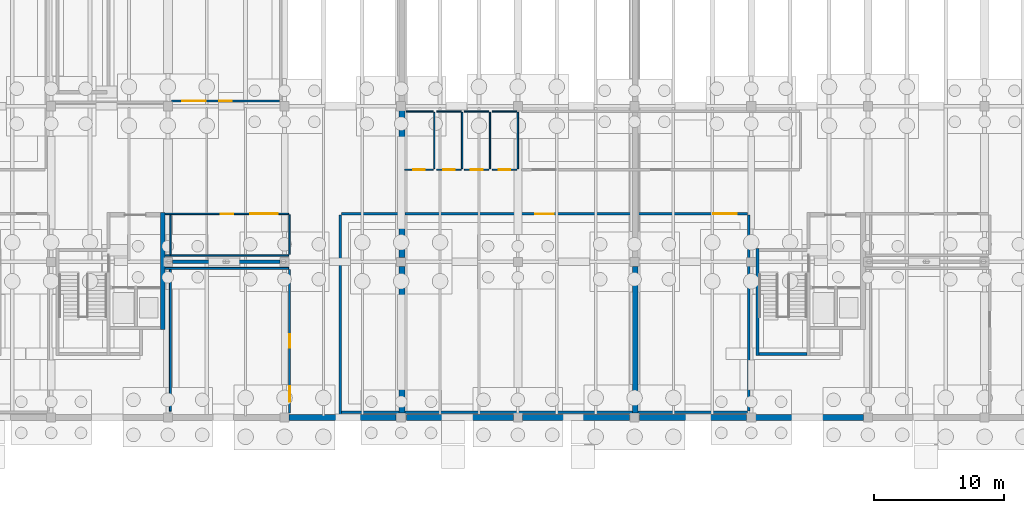
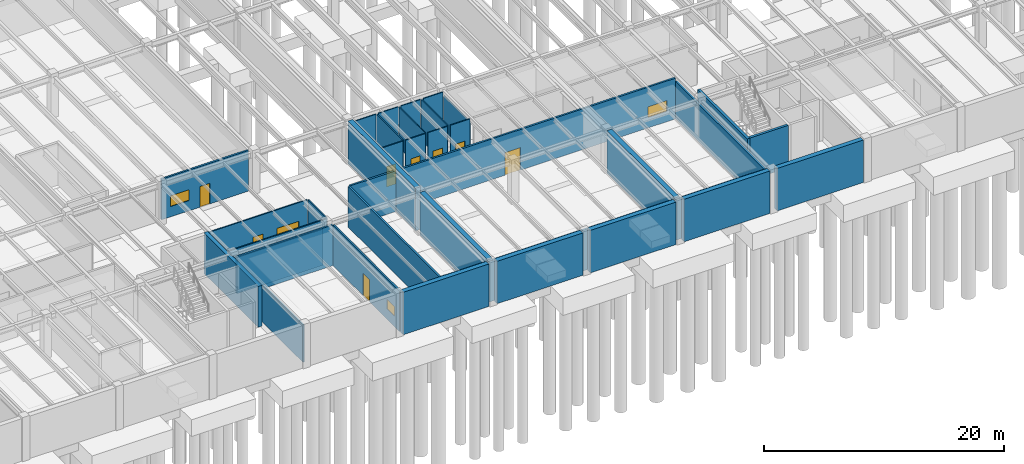
# One storey, part 28 of 40: 36 walls, 8 doors, 4 windows, 12 openings.
"""IFC4 building model written with IfcOpenShell, lengths in metres."""

import ifcopenshell
import ifcopenshell.guid

model = None  # the IFC model being written
_history = None  # IfcOwnerHistory: only IFC2X3 demands one
_inside = {}  # id of a spatial element -> (the spatial element, [elements in it])
_under = {}  # id of a project, library or spatial element -> (it, [spatial elements below it])
_declared = {}  # id of a project -> (the project, [libraries it declares])
_typed = {}  # id of a type object -> (the type object, [elements of that type])
_made_of = {}  # id of a material, layer set ... -> (it, [elements and type objects made of it])


def new_model(schema):
    """Start an empty IFC model of exactly this schema.

    Asked for "IFC4X3", IfcOpenShell would pick the latest addendum, in which some entities
    have other attributes; the version numbers below select the first issue.
    IFC2X3 requires an IfcOwnerHistory on every rooted entity: one is made here for all.
    """
    global model, _history
    if schema == "IFC4X3":
        model = ifcopenshell.file(schema_version=(4, 3, 0, 0))
    else:
        model = ifcopenshell.file(schema=schema)
    _inside.clear()
    _under.clear()
    _declared.clear()
    _typed.clear()
    _made_of.clear()
    _history = None
    if model.schema == "IFC2X3":
        org = make("IfcOrganization", Name="unknown")
        user = make(
            "IfcPersonAndOrganization",
            ThePerson=make("IfcPerson", FamilyName="unknown"),
            TheOrganization=org,
        )
        app = make(
            "IfcApplication",
            ApplicationDeveloper=org,
            Version="unknown",
            ApplicationFullName="unknown",
            ApplicationIdentifier="unknown",
        )
        _history = make(
            "IfcOwnerHistory",
            OwningUser=user,
            OwningApplication=app,
            ChangeAction="ADDED",
            CreationDate=0,
        )
    return model


def make(cls, **values):
    """One entity of the class cls with the attributes given. An attribute that is None is left unset."""
    return model.create_entity(
        cls, **{name: value for name, value in values.items() if value is not None}
    )


def rooted(cls, **values):
    """An entity with a GlobalId (a new one), such as an element, a storey or a relation."""
    return make(cls, GlobalId=ifcopenshell.guid.new(), OwnerHistory=_history, **values)


def si_unit(unit_type, name, prefix=None):
    """IfcSIUnit, for example si_unit("LENGTHUNIT", "METRE", prefix="MILLI")."""
    return make("IfcSIUnit", UnitType=unit_type, Prefix=prefix, Name=name)


def assignment(units):
    """IfcUnitAssignment: the units of a project."""
    return None if units is None else make("IfcUnitAssignment", Units=units)


def point(xyz):
    """IfcCartesianPoint."""
    return None if xyz is None else make("IfcCartesianPoint", Coordinates=xyz)


def direction(xyz):
    """IfcDirection."""
    return None if xyz is None else make("IfcDirection", DirectionRatios=xyz)


def frame(location, z_axis=None, x_axis=None):
    """IfcAxis2Placement3D, a coordinate frame: its origin and axes. An axis left out is left unset."""
    return make(
        "IfcAxis2Placement3D",
        Location=point(location),
        Axis=direction(z_axis),
        RefDirection=direction(x_axis),
    )


def frame_2d(location, x_axis=None):
    """IfcAxis2Placement2D, a coordinate frame in the plane: its origin and x axis."""
    return make(
        "IfcAxis2Placement2D", Location=point(location), RefDirection=direction(x_axis)
    )


def origin():
    """The frame at (0, 0, 0) with its axes left unset."""
    return frame((0.0, 0.0, 0.0))


def place(relative_to, where):
    """IfcLocalPlacement: puts the frame where relative to a parent placement (None: the world)."""
    return make(
        "IfcLocalPlacement", PlacementRelTo=relative_to, RelativePlacement=where
    )


def context(
    kind, dimensions, precision=None, world=None, true_north=None, identifier=None
):
    """IfcGeometricRepresentationContext, for example the 3D "Model" context."""
    return make(
        "IfcGeometricRepresentationContext",
        ContextIdentifier=identifier,
        ContextType=kind,
        CoordinateSpaceDimension=dimensions,
        Precision=precision,
        WorldCoordinateSystem=world,
        TrueNorth=true_north,
    )


def subcontext(parent, identifier, kind, view, scale=None):
    """IfcGeometricRepresentationSubContext, for example "Body" below "Model"."""
    return make(
        "IfcGeometricRepresentationSubContext",
        ContextIdentifier=identifier,
        ContextType=kind,
        ParentContext=parent,
        TargetScale=scale,
        TargetView=view,
    )


def project(units=None, contexts=None):
    """IfcProject with its units and contexts."""
    return rooted(
        "IfcProject",
        Name="project",
        RepresentationContexts=contexts,
        UnitsInContext=assignment(units),
    )


def spatial(cls, under=None, at=None, **own):
    """A site, building, storey or space (cls), placed at a placement, below another one or the project."""
    s = rooted(cls, ObjectPlacement=at, **own)
    if under is not None:
        _under.setdefault(under.id(), (under, []))[1].append(s)
    return s


def profile(cls, at=None, kind="AREA", **sizes):
    """A parametric profile (cls). Its sizes go by their IFC names, for example OverallWidth=200.0."""
    return make(cls, ProfileType=kind, Position=at, **sizes)


def rectangle(**sizes):
    """IfcRectangleProfileDef."""
    return profile("IfcRectangleProfileDef", **sizes)


def extrude(swept, where, along, depth):
    """IfcExtrudedAreaSolid: the profile swept, set in the frame where, extruded along a direction by depth."""
    return make(
        "IfcExtrudedAreaSolid",
        SweptArea=swept,
        Position=where,
        ExtrudedDirection=direction(along),
        Depth=depth,
    )


def shape(context_of_items, identifier, shape_type, items):
    """IfcShapeRepresentation: the items that make up one representation, for example the "Body"."""
    return make(
        "IfcShapeRepresentation",
        ContextOfItems=context_of_items,
        RepresentationIdentifier=identifier,
        RepresentationType=shape_type,
        Items=items,
    )


def material(Name=None, Category=None):
    """IfcMaterial."""
    return make("IfcMaterial", Name=Name, Category=Category)


def layer(
    of_material, thickness, ventilated=None, Name=None, Category=None, Priority=None
):
    """IfcMaterialLayer: one layer of a wall or slab, of a material (None: an air gap)."""
    return make(
        "IfcMaterialLayer",
        Material=of_material,
        LayerThickness=thickness,
        IsVentilated=ventilated,
        Name=Name,
        Category=Category,
        Priority=Priority,
    )


def layer_set(layers, Name=None):
    """IfcMaterialLayerSet."""
    return make("IfcMaterialLayerSet", MaterialLayers=layers, LayerSetName=Name)


def made_of(thing, what):
    """Note that an element or type object is made of a material, layer set ...; save() writes the relation."""
    if what is not None:
        _made_of.setdefault(what.id(), (what, []))[1].append(thing)
    return thing


def type_object(cls, material=None, **own):
    """A type object (cls), such as IfcWallType, which elements share."""
    return made_of(rooted(cls, **own), material)


def element(
    cls,
    number,
    at=None,
    inside=None,
    cuts=None,
    type_object=None,
    material=None,
    context=None,
    identifier="Body",
    shape_type=None,
    held_by="IfcProductDefinitionShape",
    body=None,
    shapes=None,
    **own,
):
    """One element of the class cls, such as IfcWall. Its Tag is "e" and its number.

    at: its placement. inside: the storey or other place that contains it. cuts: it is an
    opening in that element (IfcRelVoidsElement). A single representation is given by context,
    identifier, shape_type and body (its items); several are given by shapes. held_by: the class
    of the entity that holds the representations. save() writes the other relations.
    """
    e = rooted(cls, Tag="e%d" % number, ObjectPlacement=at, **own)
    if body is not None:
        shapes = [shape(context, identifier, shape_type, body)]
    if shapes is not None:
        e.Representation = make(held_by, Representations=shapes)
    if inside is not None:
        _inside.setdefault(inside.id(), (inside, []))[1].append(e)
    if cuts is not None:
        rooted(
            "IfcRelVoidsElement", RelatingBuildingElement=cuts, RelatedOpeningElement=e
        )
    if type_object is not None:
        _typed.setdefault(type_object.id(), (type_object, []))[1].append(e)
    return made_of(e, material)


def fill(opening, filler):
    """IfcRelFillsElement: the door or window that sits in an opening."""
    return rooted(
        "IfcRelFillsElement",
        RelatingOpeningElement=opening,
        RelatedBuildingElement=filler,
    )


def aggregate(whole, parts):
    """IfcRelAggregates: a whole, such as a stair, and the parts it consists of."""
    return rooted("IfcRelAggregates", RelatingObject=whole, RelatedObjects=parts)


def save(model, path):
    """Write the relations noted so far, then the file.

    IfcRelAggregates (storeys below a building ...), IfcRelContainedInSpatialStructure (elements
    in a storey), IfcRelDefinesByType, IfcRelAssociatesMaterial and IfcRelDeclares: one each for
    every whole, place, type object, material and project.
    """
    for whole, parts in _under.values():
        aggregate(whole, parts)
    for where, things in _inside.values():
        rooted(
            "IfcRelContainedInSpatialStructure",
            RelatedElements=things,
            RelatingStructure=where,
        )
    for kind, things in _typed.values():
        rooted("IfcRelDefinesByType", RelatedObjects=things, RelatingType=kind)
    for what, things in _made_of.values():
        rooted("IfcRelAssociatesMaterial", RelatedObjects=things, RelatingMaterial=what)
    for by, libraries in _declared.values():
        rooted("IfcRelDeclares", RelatingContext=by, RelatedDefinitions=libraries)
    model.write(path)


model = new_model("IFC4")

# Units and contexts
model_context = context("Model", 3, precision=1e-05, world=origin(), true_north=direction((0.0, 1.0)))
body_context = subcontext(model_context, "Body", "Model", "MODEL_VIEW")
ifc_project = project(units=[si_unit("LENGTHUNIT", "METRE"), si_unit("AREAUNIT", "SQUARE_METRE"), si_unit("VOLUMEUNIT", "CUBIC_METRE"), si_unit("PLANEANGLEUNIT", "RADIAN"), si_unit("MASSUNIT", "GRAM", prefix="KILO")], contexts=[model_context])

# Site, building, storey
site_placement = place(None, origin())
site = spatial("IfcSite", under=ifc_project, at=site_placement, CompositionType="ELEMENT")
building_placement = place(site_placement, origin())
building = spatial("IfcBuilding", under=site, at=building_placement, Name="Montelvaro Courts of Justice", CompositionType="ELEMENT")
storey_placement = place(building_placement, frame((0.0, 0.0, -4.5)))
storey = spatial("IfcBuildingStorey", under=building, at=storey_placement, Name="B01", CompositionType="ELEMENT", Elevation=-4.5)

# Walls
ifc_material_1 = material(Name="Gypsum board on metal stud")
ifc_layer_1 = layer(ifc_material_1, 0.14990234375)
ifc_layer_set_1 = layer_set([ifc_layer_1], Name="Gypsum board on metal stud")
wall_type_1 = type_object("IfcWallType", Name="ChambersPartition_150", PredefinedType="PARTITIONING", material=ifc_layer_set_1)
wall_1_placement = place(storey_placement, frame((63.199951171875, 0.47998046875, 0.0), z_axis=(0.0, 0.0, 1.0), x_axis=(0.0, 1.0, 0.0)))
element("IfcWall", 1, at=wall_1_placement, inside=storey, type_object=wall_type_1, Name="Interior Partition IW-04 (B01)", PredefinedType="PARTITIONING", context=body_context, shape_type="SweptSolid", body=[
    extrude(rectangle(XDim=10.93994140625, YDim=0.14990234375, at=frame_2d((5.469970703125, 0.0))), origin(), (0.0, 0.0, 1.0), 3.784912109375),
])
wall_2_placement = place(storey_placement, frame((62.794921875, 11.5, 0.0), z_axis=(0.0, 0.0, 1.0), x_axis=(1.0, 0.0, 0.0)))
element("IfcWall", 2, at=wall_2_placement, inside=storey, type_object=wall_type_1, Name="Interior Partition IW-04 (B01)", PredefinedType="PARTITIONING", context=body_context, shape_type="SweptSolid", body=[
    extrude(rectangle(XDim=9.525146484375, YDim=0.14990234375, at=frame_2d((4.7626953125, 0.0))), origin(), (0.0, 0.0, 1.0), 4.139892578125),
])

# Wall, openings, door, window
wall_3_placement = place(storey_placement, frame((72.39990234375, 11.419921875, 0.0), z_axis=(0.0, 0.0, 1.0), x_axis=(0.0, -1.0, 0.0)))
wall_3 = element("IfcWall", 3, at=wall_3_placement, inside=storey, type_object=wall_type_1, Name="Interior Partition IW-04 (B01)", PredefinedType="PARTITIONING", context=body_context, shape_type="SweptSolid", body=[
    extrude(rectangle(XDim=11.073974609375, YDim=0.14990234375, at=frame_2d((5.537109375, 0.0))), origin(), (0.0, 0.0, 1.0), 4.139892578125),
])
opening_1_placement = place(wall_3_placement, frame((5.011962890625, 0.0, 0.0)))
opening_1 = element("IfcOpeningElement", 4, at=opening_1_placement, cuts=wall_3, Name="Opening D-B01-013", PredefinedType="OPENING", context=body_context, shape_type="SweptSolid", body=[
    extrude(rectangle(XDim=1.050048828125, YDim=2.25, at=frame_2d((0.52490234375, 1.125))), frame((0.0, 0.08984375, 0.0), z_axis=(0.0, -1.0, 0.0), x_axis=(1.0, 0.0, 0.0)), (0.0, 0.0, 1.0), 0.1796875),
])
opening_2_placement = place(wall_3_placement, frame((9.02392578125, 0.0, 1.050048828125)))
opening_2 = element("IfcOpeningElement", 5, at=opening_2_placement, cuts=wall_3, Name="Opening WI-03", PredefinedType="OPENING", context=body_context, shape_type="SweptSolid", body=[
    extrude(rectangle(XDim=1.199951171875, YDim=1.0, at=frame_2d((0.60009765625, 0.5))), frame((0.0, 0.08984375, 0.0), z_axis=(0.0, -1.0, 0.0), x_axis=(1.0, 0.0, 0.0)), (0.0, 0.0, 1.0), 0.1796875),
])
ifc_material_2 = material(Name="Acoustic oak timber veneer", Category="wood")
door_type_1 = type_object("IfcDoorType", Name="ChamberDoor_105x225", OperationType="NOTDEFINED", PredefinedType="DOOR", material=ifc_material_2)
door_1_placement = place(opening_1_placement, frame((1.050048828125, 0.0, 0.0), z_axis=(0.0, 0.0, 1.0), x_axis=(-1.0, 0.0, 0.0)))
door_1 = element("IfcDoor", 6, at=door_1_placement, inside=storey, type_object=door_type_1, Name="Interior Door D-B01-013 (Evidentiary Records Storage)", OperationType="SINGLE_SWING_RIGHT", OverallHeight=2.25, OverallWidth=1.050048828125, PredefinedType="DOOR", context=body_context, shape_type="SweptSolid", body=[
    extrude(rectangle(XDim=1.050048828125, YDim=2.25, at=frame_2d((0.52490234375, 1.125))), frame((0.0, 0.02490234375, 0.0), z_axis=(0.0, -1.0, 0.0), x_axis=(1.0, 0.0, 0.0)), (0.0, 0.0, 1.0), 0.050048828125),
])
fill(opening_1, door_1)
ifc_material_3 = material(Name="Acoustic laminated double glazing", Category="glass")
window_type_1 = type_object("IfcWindowType", Name="IntVision_120x100", PartitioningType="SINGLE_PANEL", PredefinedType="WINDOW", material=ifc_material_3)
window_1_placement = place(opening_2_placement, origin())
window_1 = element("IfcWindow", 7, at=window_1_placement, inside=storey, type_object=window_type_1, Name="Interior Vision Panel WI-007", OverallHeight=1.0, OverallWidth=1.199951171875, PartitioningType="SINGLE_PANEL", PredefinedType="WINDOW", context=body_context, shape_type="SweptSolid", body=[
    extrude(rectangle(XDim=1.199951171875, YDim=1.0, at=frame_2d((0.60009765625, 0.5))), frame((0.0, 0.030029296875, 0.0), z_axis=(0.0, -1.0, 0.0), x_axis=(1.0, 0.0, 0.0)), (0.0, 0.0, 1.0), 0.06005859375),
])
fill(opening_2, window_1)

# Wall
ifc_material_4 = material(Name="Concrete C40/50", Category="concrete")
ifc_layer_2 = layer(ifc_material_4, 0.360107421875)
ifc_layer_set_2 = layer_set([ifc_layer_2], Name="Concrete C40/50")
wall_type_2 = type_object("IfcWallType", Name="CoreWall_360", PredefinedType="SHEAR", material=ifc_layer_set_2)
wall_4_placement = place(storey_placement, frame((62.6201171875, 6.760009765625, 0.0), z_axis=(0.0, 0.0, 1.0), x_axis=(0.0, 1.0, 0.0)))
element("IfcWall", 8, at=wall_4_placement, inside=storey, type_object=wall_type_2, Name="Core Shear Wall CW-01 K1-E (B01)", PredefinedType="SHEAR", context=body_context, shape_type="SweptSolid", body=[
    extrude(rectangle(XDim=9.0400390625, YDim=0.360107421875, at=frame_2d((4.52001953125, 0.0))), origin(), (0.0, 0.0, 1.0), 4.159912109375),
])

# Wall, openings, door, window
ifc_material_5 = material(Name="Fire-rated gypsum and steel stud", Category="steel")
ifc_layer_3 = layer(ifc_material_5, 0.179931640625)
ifc_layer_set_3 = layer_set([ifc_layer_3], Name="Fire-rated gypsum and steel stud")
wall_type_3 = type_object("IfcWallType", Name="CorridorFireWall_180", PredefinedType="PARTITIONING", material=ifc_layer_set_3)
wall_5_placement = place(storey_placement, frame((71.6201171875, 24.39990234375, 0.0), z_axis=(0.0, 0.0, 1.0), x_axis=(-1.0, 0.0, 0.0)))
wall_5 = element("IfcWall", 9, at=wall_5_placement, inside=storey, type_object=wall_type_3, Name="Interior Partition IW-02 (B01)", PredefinedType="PARTITIONING", context=body_context, shape_type="SweptSolid", body=[
    extrude(rectangle(XDim=8.340087890625, YDim=0.179931640625, at=frame_2d((4.169921875, 0.0))), origin(), (0.0, 0.0, 1.0), 4.139892578125),
])
opening_3_placement = place(wall_5_placement, frame((3.695068359375, 0.0, 0.0)))
opening_3 = element("IfcOpeningElement", 10, at=opening_3_placement, cuts=wall_5, Name="Opening D-B01-011", PredefinedType="OPENING", context=body_context, shape_type="SweptSolid", body=[
    extrude(rectangle(XDim=0.949951171875, YDim=2.10009765625, at=frame_2d((0.47509765625, 1.050048828125))), frame((0.0, 0.10498046875, 0.0), z_axis=(0.0, -1.0, 0.0), x_axis=(1.0, 0.0, 0.0)), (0.0, 0.0, 1.0), 0.209716796875),
])
opening_4_placement = place(wall_5_placement, frame((5.68994140625, 0.0, 1.050048828125)))
opening_4 = element("IfcOpeningElement", 11, at=opening_4_placement, cuts=wall_5, Name="Opening WI-01", PredefinedType="OPENING", context=body_context, shape_type="SweptSolid", body=[
    extrude(rectangle(XDim=1.800048828125, YDim=1.10009765625, at=frame_2d((0.89990234375, 0.550048828125))), frame((0.0, 0.10498046875, 0.0), z_axis=(0.0, -1.0, 0.0), x_axis=(1.0, 0.0, 0.0)), (0.0, 0.0, 1.0), 0.209716796875),
])
ifc_material_6 = material(Name="Galvanised steel S355 security door", Category="steel")
door_type_2 = type_object("IfcDoorType", Name="CustodyCellDoor_095x210", OperationType="NOTDEFINED", PredefinedType="DOOR", material=ifc_material_6)
door_2_placement = place(opening_3_placement, frame((0.949951171875, 0.0, 0.0), z_axis=(0.0, 0.0, 1.0), x_axis=(-1.0, 0.0, 0.0)))
door_2 = element("IfcDoor", 12, at=door_2_placement, inside=storey, type_object=door_type_2, Name="Interior Door D-B01-011 (Historical Case Dossier Vault)", OperationType="SINGLE_SWING_LEFT", OverallHeight=2.10009765625, OverallWidth=0.949951171875, PredefinedType="DOOR", context=body_context, shape_type="SweptSolid", body=[
    extrude(rectangle(XDim=0.949951171875, YDim=2.10009765625, at=frame_2d((0.47509765625, 1.050048828125))), frame((0.0, 0.02490234375, 0.0), z_axis=(0.0, -1.0, 0.0), x_axis=(1.0, 0.0, 0.0)), (0.0, 0.0, 1.0), 0.050048828125),
])
fill(opening_3, door_2)
window_type_2 = type_object("IfcWindowType", Name="IntVision_180x110", PartitioningType="SINGLE_PANEL", PredefinedType="WINDOW", material=ifc_material_3)
window_2_placement = place(opening_4_placement, origin())
window_2 = element("IfcWindow", 13, at=window_2_placement, inside=storey, type_object=window_type_2, Name="Interior Vision Panel WI-005", OverallHeight=1.10009765625, OverallWidth=1.800048828125, PartitioningType="SINGLE_PANEL", PredefinedType="WINDOW", context=body_context, shape_type="SweptSolid", body=[
    extrude(rectangle(XDim=1.800048828125, YDim=1.10009765625, at=frame_2d((0.89990234375, 0.550048828125))), frame((0.0, 0.030029296875, 0.0), z_axis=(0.0, -1.0, 0.0), x_axis=(1.0, 0.0, 0.0)), (0.0, 0.0, 1.0), 0.06005859375),
])
fill(opening_4, window_2)

# Walls
wall_6_placement = place(storey_placement, frame((107.800048828125, 15.6201171875, 0.0), z_axis=(0.0, 0.0, 1.0), x_axis=(0.0, -1.0, 0.0)))
element("IfcWall", 14, at=wall_6_placement, inside=storey, type_object=wall_type_3, Name="Interior Partition IW-02 (B01)", PredefinedType="PARTITIONING", context=body_context, shape_type="SweptSolid", body=[
    extrude(rectangle(XDim=15.14013671875, YDim=0.179931640625, at=frame_2d((7.570068359375, 0.0))), origin(), (0.0, 0.0, 1.0), 3.824951171875),
])
wall_7_placement = place(storey_placement, frame((107.719970703125, 0.39990234375, 0.0), z_axis=(0.0, 0.0, 1.0), x_axis=(-1.0, 0.0, 0.0)))
element("IfcWall", 15, at=wall_7_placement, inside=storey, type_object=wall_type_3, Name="Interior Partition IW-02 (B01)", PredefinedType="PARTITIONING", context=body_context, shape_type="SweptSolid", body=[
    extrude(rectangle(XDim=31.340087890625, YDim=0.179931640625, at=frame_2d((15.669921875, 0.0))), origin(), (0.0, 0.0, 1.0), 4.139892578125),
])
wall_8_placement = place(storey_placement, frame((76.300048828125, 0.219970703125, 0.0), z_axis=(0.0, 0.0, 1.0), x_axis=(0.0, 1.0, 0.0)))
element("IfcWall", 16, at=wall_8_placement, inside=storey, type_object=wall_type_3, Name="Interior Partition IW-02 (B01)", PredefinedType="PARTITIONING", context=body_context, shape_type="SweptSolid", body=[
    extrude(rectangle(XDim=15.400146484375, YDim=0.179931640625, at=frame_2d((7.7001953125, 0.0))), origin(), (0.0, 0.0, 1.0), 4.139892578125),
])

# Wall, openings, door, window
wall_9_placement = place(storey_placement, frame((76.3798828125, 15.699951171875, 0.0), z_axis=(0.0, 0.0, 1.0), x_axis=(1.0, 0.0, 0.0)))
wall_9 = element("IfcWall", 17, at=wall_9_placement, inside=storey, type_object=wall_type_3, Name="Interior Partition IW-02 (B01)", PredefinedType="PARTITIONING", context=body_context, shape_type="SweptSolid", body=[
    extrude(rectangle(XDim=31.340087890625, YDim=0.179931640625, at=frame_2d((15.669921875, 0.0))), origin(), (0.0, 0.0, 1.0), 4.139892578125),
])
opening_5_placement = place(wall_9_placement, frame((14.945068359375, 0.0, 0.0)))
opening_5 = element("IfcOpeningElement", 18, at=opening_5_placement, cuts=wall_9, Name="Opening D-B01-015", PredefinedType="OPENING", context=body_context, shape_type="SweptSolid", body=[
    extrude(rectangle(XDim=1.449951171875, YDim=2.300048828125, at=frame_2d((0.72509765625, 1.14990234375))), frame((0.0, 0.10498046875, 0.0), z_axis=(0.0, -1.0, 0.0), x_axis=(1.0, 0.0, 0.0)), (0.0, 0.0, 1.0), 0.209716796875),
])
opening_6_placement = place(wall_9_placement, frame((28.68994140625, 0.0, 1.050048828125)))
opening_6 = element("IfcOpeningElement", 19, at=opening_6_placement, cuts=wall_9, Name="Opening WI-01", PredefinedType="OPENING", context=body_context, shape_type="SweptSolid", body=[
    extrude(rectangle(XDim=1.800048828125, YDim=1.10009765625, at=frame_2d((0.89990234375, 0.550048828125))), frame((0.0, 0.10498046875, 0.0), z_axis=(0.0, -1.0, 0.0), x_axis=(1.0, 0.0, 0.0)), (0.0, 0.0, 1.0), 0.209716796875),
])
door_type_3 = type_object("IfcDoorType", Name="ArchiveVaultDoor_145x230", OperationType="DOUBLE_DOOR_SINGLE_SWING", PredefinedType="DOOR", material=ifc_material_6)
door_3_placement = place(opening_5_placement, frame((1.449951171875, 0.0, 0.0), z_axis=(0.0, 0.0, 1.0), x_axis=(-1.0, 0.0, 0.0)))
door_3 = element("IfcDoor", 20, at=door_3_placement, inside=storey, type_object=door_type_3, Name="Interior Door D-B01-015 (Sealed Exhibits Vault)", OperationType="DOUBLE_DOOR_SINGLE_SWING", OverallHeight=2.300048828125, OverallWidth=1.449951171875, PredefinedType="DOOR", context=body_context, shape_type="SweptSolid", body=[
    extrude(rectangle(XDim=1.449951171875, YDim=2.300048828125, at=frame_2d((0.72509765625, 1.14990234375))), frame((0.0, 0.02490234375, 0.0), z_axis=(0.0, -1.0, 0.0), x_axis=(1.0, 0.0, 0.0)), (0.0, 0.0, 1.0), 0.050048828125),
])
fill(opening_5, door_3)
window_3_placement = place(opening_6_placement, origin())
window_3 = element("IfcWindow", 21, at=window_3_placement, inside=storey, type_object=window_type_2, Name="Interior Vision Panel WI-009", OverallHeight=1.10009765625, OverallWidth=1.800048828125, PartitioningType="SINGLE_PANEL", PredefinedType="WINDOW", context=body_context, shape_type="SweptSolid", body=[
    extrude(rectangle(XDim=1.800048828125, YDim=1.10009765625, at=frame_2d((0.89990234375, 0.550048828125))), frame((0.0, 0.030029296875, 0.0), z_axis=(0.0, -1.0, 0.0), x_axis=(1.0, 0.0, 0.0)), (0.0, 0.0, 1.0), 0.06005859375),
])
fill(opening_6, window_3)

# Walls
ifc_layer_4 = layer(ifc_material_1, 0.1201171875)
ifc_layer_set_4 = layer_set([ifc_layer_4], Name="Gypsum board on metal stud")
wall_type_4 = type_object("IfcWallType", Name="OfficePartition_120", PredefinedType="PARTITIONING", material=ifc_layer_set_4)
wall_10_placement = place(storey_placement, frame((72.39990234375, 15.6201171875, 0.0), z_axis=(0.0, 0.0, 1.0), x_axis=(0.0, -1.0, 0.0)))
element("IfcWall", 22, at=wall_10_placement, inside=storey, type_object=wall_type_4, Name="Interior Partition IW-05 (B01)", PredefinedType="PARTITIONING", context=body_context, shape_type="SweptSolid", body=[
    extrude(rectangle(XDim=3.0400390625, YDim=0.1201171875, at=frame_2d((1.52001953125, 0.0))), origin(), (0.0, 0.0, 1.0), 4.139892578125),
])
wall_11_placement = place(storey_placement, frame((72.320068359375, 12.5, 0.0), z_axis=(0.0, 0.0, 1.0), x_axis=(-1.0, 0.0, 0.0)))
element("IfcWall", 23, at=wall_11_placement, inside=storey, type_object=wall_type_4, Name="Interior Partition IW-05 (B01)", PredefinedType="PARTITIONING", context=body_context, shape_type="SweptSolid", body=[
    extrude(rectangle(XDim=9.525146484375, YDim=0.1201171875, at=frame_2d((4.7626953125, 0.0))), origin(), (0.0, 0.0, 1.0), 4.139892578125),
])
wall_12_placement = place(storey_placement, frame((63.199951171875, 12.554931640625, 0.0), z_axis=(0.0, 0.0, 1.0), x_axis=(0.0, 1.0, 0.0)))
element("IfcWall", 24, at=wall_12_placement, inside=storey, type_object=wall_type_4, Name="Interior Partition IW-05 (B01)", PredefinedType="PARTITIONING", context=body_context, shape_type="SweptSolid", body=[
    extrude(rectangle(XDim=3.065185546875, YDim=0.1201171875, at=frame_2d((1.53271484375, 0.0))), origin(), (0.0, 0.0, 1.0), 3.784912109375),
])

# Wall, openings, window, door
wall_13_placement = place(storey_placement, frame((62.794921875, 15.699951171875, 0.0), z_axis=(0.0, 0.0, 1.0), x_axis=(1.0, 0.0, 0.0)))
wall_13 = element("IfcWall", 25, at=wall_13_placement, inside=storey, type_object=wall_type_4, Name="Interior Partition IW-05 (B01)", PredefinedType="PARTITIONING", context=body_context, shape_type="SweptSolid", body=[
    extrude(rectangle(XDim=9.525146484375, YDim=0.1201171875, at=frame_2d((4.7626953125, 0.0))), origin(), (0.0, 0.0, 1.0), 4.139892578125),
])
opening_7_placement = place(wall_13_placement, frame((4.2880859375, 0.0, 0.0)))
opening_7 = element("IfcOpeningElement", 26, at=opening_7_placement, cuts=wall_13, Name="Opening D-B01-014", PredefinedType="OPENING", context=body_context, shape_type="SweptSolid", body=[
    extrude(rectangle(XDim=0.949951171875, YDim=2.14990234375, at=frame_2d((0.47509765625, 1.074951171875))), frame((0.0, 0.074951171875, 0.0), z_axis=(0.0, -1.0, 0.0), x_axis=(1.0, 0.0, 0.0)), (0.0, 0.0, 1.0), 0.14990234375),
])
opening_8_placement = place(wall_13_placement, frame((6.574951171875, 0.0, 1.050048828125)))
opening_8 = element("IfcOpeningElement", 27, at=opening_8_placement, cuts=wall_13, Name="Opening WI-04", PredefinedType="OPENING", context=body_context, shape_type="SweptSolid", body=[
    extrude(rectangle(XDim=2.10009765625, YDim=1.199951171875, at=frame_2d((1.050048828125, 0.60009765625))), frame((0.0, 0.074951171875, 0.0), z_axis=(0.0, -1.0, 0.0), x_axis=(1.0, 0.0, 0.0)), (0.0, 0.0, 1.0), 0.14990234375),
])
window_type_3 = type_object("IfcWindowType", Name="IntVision_210x120", PartitioningType="SINGLE_PANEL", PredefinedType="WINDOW", material=ifc_material_3)
window_4_placement = place(opening_8_placement, origin())
window_4 = element("IfcWindow", 28, at=window_4_placement, inside=storey, type_object=window_type_3, Name="Interior Vision Panel WI-008", OverallHeight=1.199951171875, OverallWidth=2.10009765625, PartitioningType="SINGLE_PANEL", PredefinedType="WINDOW", context=body_context, shape_type="SweptSolid", body=[
    extrude(rectangle(XDim=2.10009765625, YDim=1.199951171875, at=frame_2d((1.050048828125, 0.60009765625))), frame((0.0, 0.030029296875, 0.0), z_axis=(0.0, -1.0, 0.0), x_axis=(1.0, 0.0, 0.0)), (0.0, 0.0, 1.0), 0.06005859375),
])
fill(opening_8, window_4)
door_type_4 = type_object("IfcDoorType", Name="OfficeDoor_095x215", OperationType="NOTDEFINED", PredefinedType="DOOR", material=ifc_material_2)
door_4_placement = place(opening_7_placement, origin())
door_4 = element("IfcDoor", 29, at=door_4_placement, inside=storey, type_object=door_type_4, Name="Interior Door D-B01-014 (Microfilm Evidence Depository)", OperationType="SINGLE_SWING_LEFT", OverallHeight=2.14990234375, OverallWidth=0.949951171875, PredefinedType="DOOR", context=body_context, shape_type="SweptSolid", body=[
    extrude(rectangle(XDim=0.949951171875, YDim=2.14990234375, at=frame_2d((0.47509765625, 1.074951171875))), frame((0.0, 0.02490234375, 0.0), z_axis=(0.0, -1.0, 0.0), x_axis=(1.0, 0.0, 0.0)), (0.0, 0.0, 1.0), 0.050048828125),
])
fill(opening_7, door_4)

# Walls
ifc_material_7 = material(Name="Concrete C35/45", Category="concrete")
ifc_layer_5 = layer(ifc_material_7, 0.449951171875)
ifc_layer_set_5 = layer_set([ifc_layer_5], Name="Concrete C35/45")
wall_type_5 = type_object("IfcWallType", Name="RetainingWall_450", PredefinedType="USERDEFINED", material=ifc_layer_set_5)
wall_14_placement = place(storey_placement, frame((99.396240234375, 0.0, 0.0), z_axis=(0.0, 0.0, 1.0), x_axis=(1.0, 0.0, 0.0)))
element("IfcWall", 30, at=wall_14_placement, inside=storey, type_object=wall_type_5, Name="Basement Plinth Retaining Wall RW-01-001", ObjectType="RETAININGWALL", PredefinedType="USERDEFINED", context=body_context, shape_type="SweptSolid", body=[
    extrude(rectangle(XDim=8.2578125, YDim=0.449951171875, at=frame_2d((4.12890625, 0.0))), origin(), (0.0, 0.0, 1.0), 4.320068359375),
])
wall_15_placement = place(storey_placement, frame((108.345947265625, 0.0, 0.0), z_axis=(0.0, 0.0, 1.0), x_axis=(1.0, 0.0, 0.0)))
element("IfcWall", 31, at=wall_15_placement, inside=storey, type_object=wall_type_5, Name="Basement Plinth Retaining Wall RW-01-002", ObjectType="RETAININGWALL", PredefinedType="USERDEFINED", context=body_context, shape_type="SweptSolid", body=[
    extrude(rectangle(XDim=8.30810546875, YDim=0.449951171875, at=frame_2d((4.154052734375, 0.0))), origin(), (0.0, 0.0, 1.0), 4.320068359375),
])
wall_16_placement = place(storey_placement, frame((99.050048828125, 11.654052734375, 0.0), z_axis=(0.0, 0.0, 1.0), x_axis=(0.0, -1.0, 0.0)))
element("IfcWall", 32, at=wall_16_placement, inside=storey, type_object=wall_type_5, Name="Basement Plinth Retaining Wall RW-01-034", ObjectType="RETAININGWALL", PredefinedType="USERDEFINED", context=body_context, shape_type="SweptSolid", body=[
    extrude(rectangle(XDim=11.307861328125, YDim=0.449951171875, at=frame_2d((5.65380859375, 0.0))), origin(), (0.0, 0.0, 1.0), 4.320068359375),
])
for number, where, z_axis, x_axis, name in (
    (33, (81.396240234375, 0.0, 0.0), (0.0, 0.0, 1.0), (1.0, 0.0, 0.0), "Basement Plinth Retaining Wall RW-01-035"),
    (34, (90.345947265625, 0.0, 0.0), (0.0, 0.0, 1.0), (1.0, 0.0, 0.0), "Basement Plinth Retaining Wall RW-01-036"),
):
    element("IfcWall", number, at=place(storey_placement, frame(where, z_axis=z_axis, x_axis=x_axis)), inside=storey, type_object=wall_type_5, Name=name, ObjectType="RETAININGWALL", PredefinedType="USERDEFINED", context=body_context, shape_type="SweptSolid", body=[
        extrude(rectangle(XDim=8.2578125, YDim=0.449951171875, at=frame_2d((4.12890625, 0.0))), origin(), (0.0, 0.0, 1.0), 4.320068359375),
    ])
wall_17_placement = place(storey_placement, frame((81.050048828125, 23.654052734375, 0.0), z_axis=(0.0, 0.0, 1.0), x_axis=(0.0, -1.0, 0.0)))
element("IfcWall", 35, at=wall_17_placement, inside=storey, type_object=wall_type_5, Name="Basement Plinth Retaining Wall RW-01-045", ObjectType="RETAININGWALL", PredefinedType="USERDEFINED", context=body_context, shape_type="SweptSolid", body=[
    extrude(rectangle(XDim=11.30810546875, YDim=0.449951171875, at=frame_2d((5.654052734375, 0.0))), origin(), (0.0, 0.0, 1.0), 4.320068359375),
])
wall_18_placement = place(storey_placement, frame((81.050048828125, 11.654052734375, 0.0), z_axis=(0.0, 0.0, 1.0), x_axis=(0.0, -1.0, 0.0)))
element("IfcWall", 36, at=wall_18_placement, inside=storey, type_object=wall_type_5, Name="Basement Plinth Retaining Wall RW-01-046", ObjectType="RETAININGWALL", PredefinedType="USERDEFINED", context=body_context, shape_type="SweptSolid", body=[
    extrude(rectangle(XDim=11.307861328125, YDim=0.449951171875, at=frame_2d((5.65380859375, 0.0))), origin(), (0.0, 0.0, 1.0), 4.320068359375),
])
wall_19_placement = place(storey_placement, frame((72.345947265625, 0.0, 0.0), z_axis=(0.0, 0.0, 1.0), x_axis=(1.0, 0.0, 0.0)))
element("IfcWall", 37, at=wall_19_placement, inside=storey, type_object=wall_type_5, Name="Basement Plinth Retaining Wall RW-01-057", ObjectType="RETAININGWALL", PredefinedType="USERDEFINED", context=body_context, shape_type="SweptSolid", body=[
    extrude(rectangle(XDim=8.2578125, YDim=0.449951171875, at=frame_2d((4.12890625, 0.0))), origin(), (0.0, 0.0, 1.0), 4.320068359375),
])
ifc_layer_6 = layer(ifc_material_7, 0.239990234375)
ifc_layer_set_6 = layer_set([ifc_layer_6], Name="Concrete C35/45")
wall_type_6 = type_object("IfcWallType", Name="ShaftWall_240", PredefinedType="SHEAR", material=ifc_layer_set_6)
wall_20_placement = place(storey_placement, frame((108.47998046875, 4.760009765625, 0.0), z_axis=(0.0, 0.0, 1.0), x_axis=(0.0, 1.0, 0.0)))
element("IfcWall", 38, at=wall_20_placement, inside=storey, type_object=wall_type_6, Name="Protected Stair Structural Wall ST-K2-W (B01)", PredefinedType="SHEAR", context=body_context, shape_type="SweptSolid", body=[
    extrude(rectangle(XDim=8.280029296875, YDim=0.239990234375, at=frame_2d((4.14013671875, 0.0))), origin(), (0.0, 0.0, 1.0), 4.31005859375),
])
wall_21_placement = place(storey_placement, frame((108.60009765625, 4.8798828125, 0.0), z_axis=(0.0, 0.0, 1.0), x_axis=(1.0, 0.0, 0.0)))
element("IfcWall", 39, at=wall_21_placement, inside=storey, type_object=wall_type_6, Name="Protected Stair Structural Wall ST-K2-S (B01)", PredefinedType="SHEAR", context=body_context, shape_type="SweptSolid", body=[
    extrude(rectangle(XDim=3.699951171875, YDim=0.239990234375, at=frame_2d((1.85009765625, 0.0))), origin(), (0.0, 0.0, 1.0), 4.31005859375),
])
wall_22_placement = place(storey_placement, frame((63.345947265625, 12.0, 0.0), z_axis=(0.0, 0.0, 1.0), x_axis=(1.0, 0.0, 0.0)))
element("IfcWall", 40, at=wall_22_placement, inside=storey, type_object=wall_type_6, Name="Enclosed Braced Frame Structural Wall CBF1 (B01)", PredefinedType="SHEAR", context=body_context, shape_type="SweptSolid", body=[
    extrude(rectangle(XDim=8.30810546875, YDim=0.239990234375, at=frame_2d((4.154052734375, 0.0))), origin(), (0.0, 0.0, 1.0), 3.68505859375),
])

# Wall, opening, door
ifc_material_8 = material(Name="Moisture-resistant cement board")
ifc_layer_7 = layer(ifc_material_8, 0.10009765625)
ifc_layer_set_7 = layer_set([ifc_layer_7], Name="Moisture-resistant cement board")
wall_type_7 = type_object("IfcWallType", Name="WetWall_100", PredefinedType="PARTITIONING", material=ifc_layer_set_7)
wall_23_placement = place(storey_placement, frame((83.469970703125, 19.10009765625, 0.0), z_axis=(0.0, 0.0, 1.0), x_axis=(-1.0, 0.0, 0.0)))
wall_23 = element("IfcWall", 41, at=wall_23_placement, inside=storey, type_object=wall_type_7, Name="Interior Partition IW-06 (B01)", PredefinedType="PARTITIONING", context=body_context, shape_type="SweptSolid", body=[
    extrude(rectangle(XDim=2.199951171875, YDim=0.10009765625, at=frame_2d((1.10009765625, 0.0))), origin(), (0.0, 0.0, 1.0), 4.139892578125),
])
opening_9_placement = place(wall_23_placement, frame((0.64990234375, 0.0, 0.0)))
opening_9 = element("IfcOpeningElement", 42, at=opening_9_placement, cuts=wall_23, Name="Opening D-B01-020", PredefinedType="OPENING", context=body_context, shape_type="SweptSolid", body=[
    extrude(rectangle(XDim=0.89990234375, YDim=2.050048828125, at=frame_2d((0.449951171875, 1.02490234375))), frame((0.0, 0.06494140625, 0.0), z_axis=(0.0, -1.0, 0.0), x_axis=(1.0, 0.0, 0.0)), (0.0, 0.0, 1.0), 0.1298828125),
])
door_type_5 = type_object("IfcDoorType", Name="RestroomDoor_090x205", OperationType="NOTDEFINED", PredefinedType="DOOR", material=ifc_material_2)
door_5_placement = place(opening_9_placement, origin())
door_5 = element("IfcDoor", 43, at=door_5_placement, inside=storey, type_object=door_type_5, Name="Interior Door D-B01-020 (Basement Staff Male Restroom)", OperationType="SINGLE_SWING_LEFT", OverallHeight=2.050048828125, OverallWidth=0.89990234375, PredefinedType="DOOR", context=body_context, shape_type="SweptSolid", body=[
    extrude(rectangle(XDim=0.89990234375, YDim=2.050048828125, at=frame_2d((0.449951171875, 1.02490234375))), frame((0.0, 0.02490234375, 0.0), z_axis=(0.0, -1.0, 0.0), x_axis=(1.0, 0.0, 0.0)), (0.0, 0.0, 1.0), 0.050048828125),
])
fill(opening_9, door_5)

# Walls
wall_24_placement = place(storey_placement, frame((81.39599609375, 23.60009765625, 0.0), z_axis=(0.0, 0.0, 1.0), x_axis=(1.0, 0.0, 0.0)))
element("IfcWall", 44, at=wall_24_placement, inside=storey, type_object=wall_type_7, Name="Interior Partition IW-06 (B01)", PredefinedType="PARTITIONING", context=body_context, shape_type="SweptSolid", body=[
    extrude(rectangle(XDim=2.073974609375, YDim=0.10009765625, at=frame_2d((1.037109375, 0.0))), origin(), (0.0, 0.0, 1.0), 4.139892578125),
])
wall_25_placement = place(storey_placement, frame((83.550048828125, 23.52001953125, 0.0), z_axis=(0.0, 0.0, 1.0), x_axis=(0.0, -1.0, 0.0)))
element("IfcWall", 45, at=wall_25_placement, inside=storey, type_object=wall_type_7, Name="Interior Partition IW-06 (B01)", PredefinedType="PARTITIONING", context=body_context, shape_type="SweptSolid", body=[
    extrude(rectangle(XDim=4.340087890625, YDim=0.10009765625, at=frame_2d((2.169921875, 0.0))), origin(), (0.0, 0.0, 1.0), 4.139892578125),
])
wall_26_placement = place(storey_placement, frame((83.72998046875, 23.60009765625, 0.0), z_axis=(0.0, 0.0, 1.0), x_axis=(1.0, 0.0, 0.0)))
element("IfcWall", 46, at=wall_26_placement, inside=storey, type_object=wall_type_7, Name="Interior Partition IW-06 (B01)", PredefinedType="PARTITIONING", context=body_context, shape_type="SweptSolid", body=[
    extrude(rectangle(XDim=1.89013671875, YDim=0.10009765625, at=frame_2d((0.945068359375, 0.0))), origin(), (0.0, 0.0, 1.0), 4.139892578125),
])
wall_27_placement = place(storey_placement, frame((85.699951171875, 23.52001953125, 0.0), z_axis=(0.0, 0.0, 1.0), x_axis=(0.0, -1.0, 0.0)))
element("IfcWall", 47, at=wall_27_placement, inside=storey, type_object=wall_type_7, Name="Interior Partition IW-06 (B01)", PredefinedType="PARTITIONING", context=body_context, shape_type="SweptSolid", body=[
    extrude(rectangle(XDim=4.340087890625, YDim=0.10009765625, at=frame_2d((2.169921875, 0.0))), origin(), (0.0, 0.0, 1.0), 4.139892578125),
])

# Wall, opening, door
wall_28_placement = place(storey_placement, frame((85.6201171875, 19.10009765625, 0.0), z_axis=(0.0, 0.0, 1.0), x_axis=(-1.0, 0.0, 0.0)))
wall_28 = element("IfcWall", 48, at=wall_28_placement, inside=storey, type_object=wall_type_7, Name="Interior Partition IW-06 (B01)", PredefinedType="PARTITIONING", context=body_context, shape_type="SweptSolid", body=[
    extrude(rectangle(XDim=1.89013671875, YDim=0.10009765625, at=frame_2d((0.945068359375, 0.0))), origin(), (0.0, 0.0, 1.0), 4.139892578125),
])
opening_10_placement = place(wall_28_placement, frame((0.4951171875, 0.0, 0.0)))
opening_10 = element("IfcOpeningElement", 49, at=opening_10_placement, cuts=wall_28, Name="Opening D-B01-021", PredefinedType="OPENING", context=body_context, shape_type="SweptSolid", body=[
    extrude(rectangle(XDim=0.89990234375, YDim=2.050048828125, at=frame_2d((0.449951171875, 1.02490234375))), frame((0.0, 0.06494140625, 0.0), z_axis=(0.0, -1.0, 0.0), x_axis=(1.0, 0.0, 0.0)), (0.0, 0.0, 1.0), 0.1298828125),
])
door_6_placement = place(opening_10_placement, frame((0.89990234375, 0.0, 0.0), z_axis=(0.0, 0.0, 1.0), x_axis=(-1.0, 0.0, 0.0)))
door_6 = element("IfcDoor", 50, at=door_6_placement, inside=storey, type_object=door_type_5, Name="Interior Door D-B01-021 (Basement Staff Female Restroom)", OperationType="SINGLE_SWING_RIGHT", OverallHeight=2.050048828125, OverallWidth=0.89990234375, PredefinedType="DOOR", context=body_context, shape_type="SweptSolid", body=[
    extrude(rectangle(XDim=0.89990234375, YDim=2.050048828125, at=frame_2d((0.449951171875, 1.02490234375))), frame((0.0, 0.02490234375, 0.0), z_axis=(0.0, -1.0, 0.0), x_axis=(1.0, 0.0, 0.0)), (0.0, 0.0, 1.0), 0.050048828125),
])
fill(opening_10, door_6)

# Walls
wall_29_placement = place(storey_placement, frame((85.8798828125, 23.60009765625, 0.0), z_axis=(0.0, 0.0, 1.0), x_axis=(1.0, 0.0, 0.0)))
element("IfcWall", 51, at=wall_29_placement, inside=storey, type_object=wall_type_7, Name="Interior Partition IW-06 (B01)", PredefinedType="PARTITIONING", context=body_context, shape_type="SweptSolid", body=[
    extrude(rectangle(XDim=1.89013671875, YDim=0.10009765625, at=frame_2d((0.945068359375, 0.0))), origin(), (0.0, 0.0, 1.0), 4.139892578125),
])
wall_30_placement = place(storey_placement, frame((87.85009765625, 23.52001953125, 0.0), z_axis=(0.0, 0.0, 1.0), x_axis=(0.0, -1.0, 0.0)))
element("IfcWall", 52, at=wall_30_placement, inside=storey, type_object=wall_type_7, Name="Interior Partition IW-06 (B01)", PredefinedType="PARTITIONING", context=body_context, shape_type="SweptSolid", body=[
    extrude(rectangle(XDim=4.340087890625, YDim=0.10009765625, at=frame_2d((2.169921875, 0.0))), origin(), (0.0, 0.0, 1.0), 4.139892578125),
])

# Wall, opening, door
wall_31_placement = place(storey_placement, frame((87.77001953125, 19.10009765625, 0.0), z_axis=(0.0, 0.0, 1.0), x_axis=(-1.0, 0.0, 0.0)))
wall_31 = element("IfcWall", 53, at=wall_31_placement, inside=storey, type_object=wall_type_7, Name="Interior Partition IW-06 (B01)", PredefinedType="PARTITIONING", context=body_context, shape_type="SweptSolid", body=[
    extrude(rectangle(XDim=1.89013671875, YDim=0.10009765625, at=frame_2d((0.945068359375, 0.0))), origin(), (0.0, 0.0, 1.0), 4.139892578125),
])
opening_11_placement = place(wall_31_placement, frame((0.4951171875, 0.0, 0.0)))
opening_11 = element("IfcOpeningElement", 54, at=opening_11_placement, cuts=wall_31, Name="Opening D-B01-022", PredefinedType="OPENING", context=body_context, shape_type="SweptSolid", body=[
    extrude(rectangle(XDim=0.89990234375, YDim=2.10009765625, at=frame_2d((0.449951171875, 1.050048828125))), frame((0.0, 0.06494140625, 0.0), z_axis=(0.0, -1.0, 0.0), x_axis=(1.0, 0.0, 0.0)), (0.0, 0.0, 1.0), 0.1298828125),
])
door_type_6 = type_object("IfcDoorType", Name="OfficeDoor_090x210", OperationType="NOTDEFINED", PredefinedType="DOOR", material=ifc_material_2)
door_7_placement = place(opening_11_placement, origin())
door_7 = element("IfcDoor", 55, at=door_7_placement, inside=storey, type_object=door_type_6, Name="Interior Door D-B01-022 (Basement Staff Accessible WC)", OperationType="SINGLE_SWING_LEFT", OverallHeight=2.10009765625, OverallWidth=0.89990234375, PredefinedType="DOOR", context=body_context, shape_type="SweptSolid", body=[
    extrude(rectangle(XDim=0.89990234375, YDim=2.10009765625, at=frame_2d((0.449951171875, 1.050048828125))), frame((0.0, 0.02490234375, 0.0), z_axis=(0.0, -1.0, 0.0), x_axis=(1.0, 0.0, 0.0)), (0.0, 0.0, 1.0), 0.050048828125),
])
fill(opening_11, door_7)

# Wall
wall_32_placement = place(storey_placement, frame((90.0, 23.52001953125, 0.0), z_axis=(0.0, 0.0, 1.0), x_axis=(0.0, -1.0, 0.0)))
element("IfcWall", 56, at=wall_32_placement, inside=storey, type_object=wall_type_7, Name="Interior Partition IW-06 (B01)", PredefinedType="PARTITIONING", context=body_context, shape_type="SweptSolid", body=[
    extrude(rectangle(XDim=4.340087890625, YDim=0.10009765625, at=frame_2d((2.169921875, 0.0))), origin(), (0.0, 0.0, 1.0), 3.764892578125),
])

# Wall, opening, door
wall_33_placement = place(storey_placement, frame((89.919921875, 19.10009765625, 0.0), z_axis=(0.0, 0.0, 1.0), x_axis=(-1.0, 0.0, 0.0)))
wall_33 = element("IfcWall", 57, at=wall_33_placement, inside=storey, type_object=wall_type_7, Name="Interior Partition IW-06 (B01)", PredefinedType="PARTITIONING", context=body_context, shape_type="SweptSolid", body=[
    extrude(rectangle(XDim=1.889892578125, YDim=0.10009765625, at=frame_2d((0.94482421875, 0.0))), origin(), (0.0, 0.0, 1.0), 4.139892578125),
])
opening_12_placement = place(wall_33_placement, frame((0.4951171875, 0.0, 0.0)))
opening_12 = element("IfcOpeningElement", 58, at=opening_12_placement, cuts=wall_33, Name="Opening D-B01-023", PredefinedType="OPENING", context=body_context, shape_type="SweptSolid", body=[
    extrude(rectangle(XDim=0.89990234375, YDim=2.050048828125, at=frame_2d((0.449951171875, 1.02490234375))), frame((0.0, 0.06494140625, 0.0), z_axis=(0.0, -1.0, 0.0), x_axis=(1.0, 0.0, 0.0)), (0.0, 0.0, 1.0), 0.1298828125),
])
door_8_placement = place(opening_12_placement, frame((0.89990234375, 0.0, 0.0), z_axis=(0.0, 0.0, 1.0), x_axis=(-1.0, 0.0, 0.0)))
door_8 = element("IfcDoor", 59, at=door_8_placement, inside=storey, type_object=door_type_5, Name="Interior Door D-B01-023 (Basement Staff Cleaners' Store)", OperationType="SINGLE_SWING_RIGHT", OverallHeight=2.050048828125, OverallWidth=0.89990234375, PredefinedType="DOOR", context=body_context, shape_type="SweptSolid", body=[
    extrude(rectangle(XDim=0.89990234375, YDim=2.050048828125, at=frame_2d((0.449951171875, 1.02490234375))), frame((0.0, 0.02490234375, 0.0), z_axis=(0.0, -1.0, 0.0), x_axis=(1.0, 0.0, 0.0)), (0.0, 0.0, 1.0), 0.050048828125),
])
fill(opening_12, door_8)

# Wall
wall_34_placement = place(storey_placement, frame((88.030029296875, 23.60009765625, 0.0), z_axis=(0.0, 0.0, 1.0), x_axis=(1.0, 0.0, 0.0)))
element("IfcWall", 60, at=wall_34_placement, inside=storey, type_object=wall_type_7, Name="Interior Partition IW-06 (B01)", PredefinedType="PARTITIONING", context=body_context, shape_type="SweptSolid", body=[
    extrude(rectangle(XDim=1.889892578125, YDim=0.10009765625, at=frame_2d((0.94482421875, 0.0))), origin(), (0.0, 0.0, 1.0), 4.139892578125),
])

save(model, "model.ifc")
